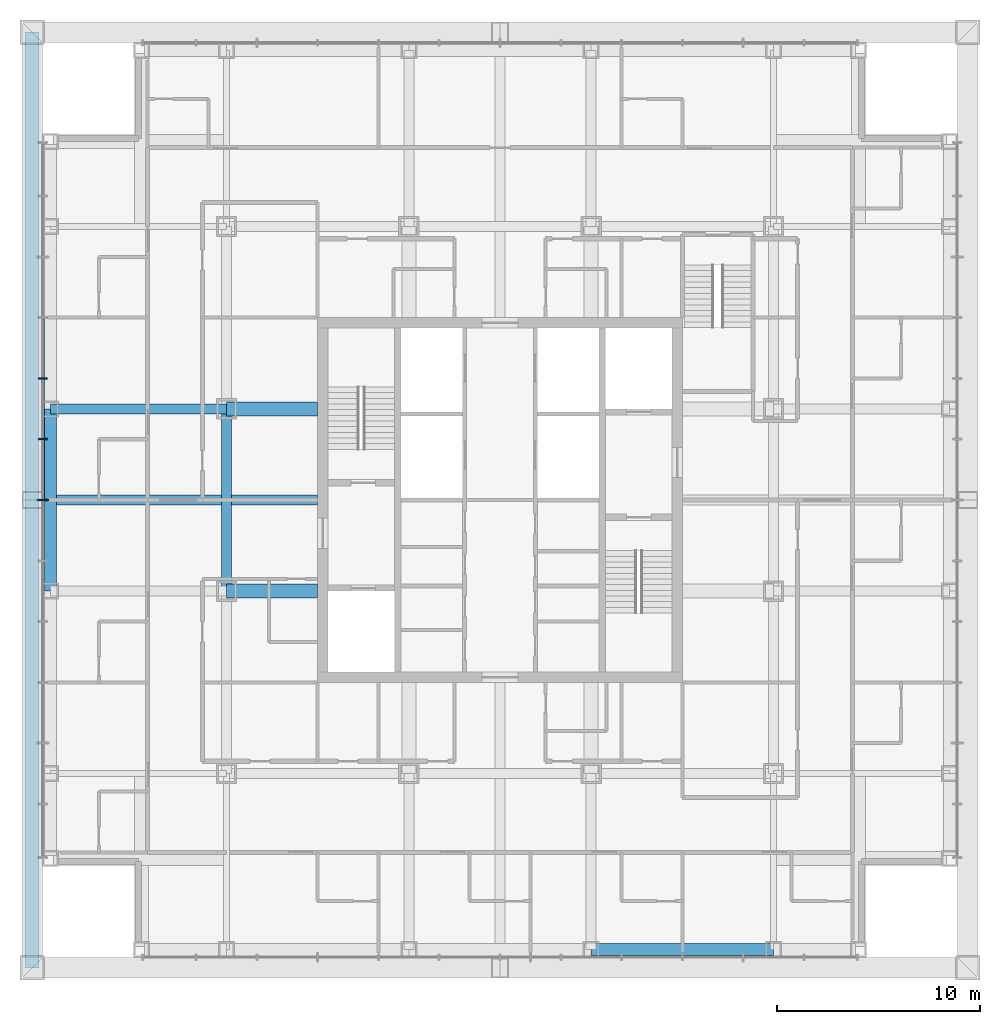
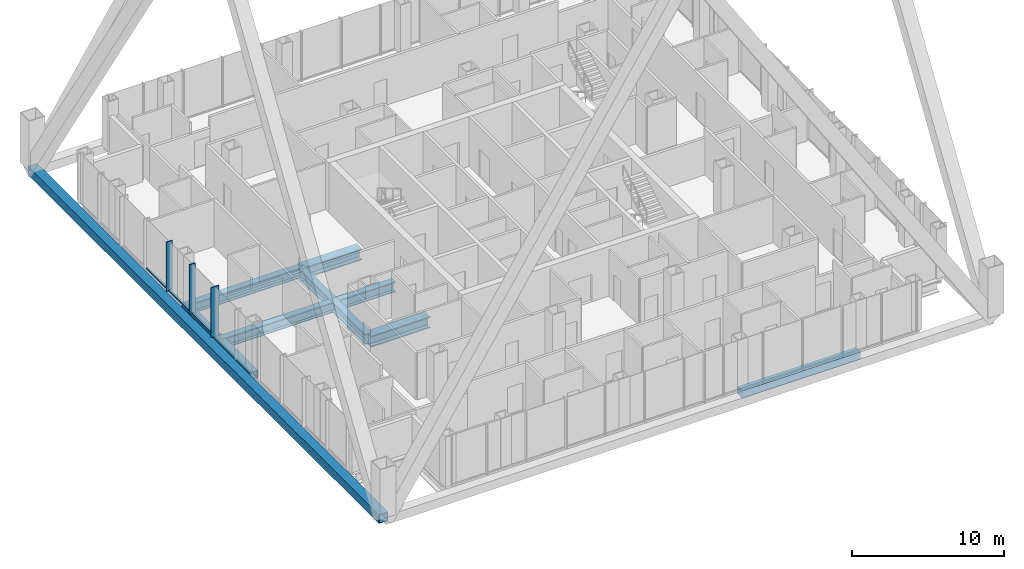
# One storey, part 4 of 16: 7 beams, 7 members, 1 element without a shape of its own.
"""IFC4 building model written with IfcOpenShell, lengths in metres."""

from ifc_helpers import new_model, si_unit, direction, frame, origin, origin_2d, place, context, subcontext, project, spatial, rectangle, hollow_rectangle, i_section, extrude, material, layer, layer_set, material_profile, profile_set, type_object, element, aggregate, save


model = new_model("IFC4")

# Units and contexts
model_context = context("Model", 3, precision=1e-05, world=origin(), true_north=direction((0.0, 1.0)))
body_context = subcontext(model_context, "Body", "Model", "MODEL_VIEW")
ifc_project = project(units=[si_unit("LENGTHUNIT", "METRE"), si_unit("AREAUNIT", "SQUARE_METRE"), si_unit("VOLUMEUNIT", "CUBIC_METRE"), si_unit("PLANEANGLEUNIT", "RADIAN"), si_unit("MASSUNIT", "GRAM", prefix="KILO")], contexts=[model_context])

# Site, building, storey
site_placement = place(None, origin())
site = spatial("IfcSite", under=ifc_project, at=site_placement, CompositionType="ELEMENT")
building_placement = place(site_placement, origin())
building = spatial("IfcBuilding", under=site, at=building_placement, Name="Malebo Sky Hospital", CompositionType="ELEMENT")
storey_placement = place(building_placement, frame((0.0, 0.0, 209.0)))
storey = spatial("IfcBuildingStorey", under=building, at=storey_placement, Name="L50", CompositionType="ELEMENT", Elevation=209.0)

# Curtain wall, members
ifc_material_1 = material(Name="Anodised aluminium, natural silver", Category="aluminium")
ifc_layer = layer(ifc_material_1, 0.25)
ifc_layer_set = layer_set([ifc_layer], Name="WARD CURTAIN WALL EAST AND WEST")
curtain_wall_type = type_object("IfcCurtainWallType", Name="WARD CURTAIN WALL EAST AND WEST", PredefinedType="NOTDEFINED", material=ifc_layer_set)
curtain_wall_placement = place(storey_placement, origin())
curtain_wall = element("IfcCurtainWall", 1, at=curtain_wall_placement, inside=storey, type_object=curtain_wall_type, Name="EW curtain wall W", PredefinedType="NOTDEFINED")
ifc_material_profile_1 = material_profile(ifc_material_1, rectangle(XDim=0.14990234375, YDim=0.10009765625, at=origin_2d()), Name="ALUMINIUM TRANSOM 150x100")
ifc_profile_set_1 = profile_set([ifc_material_profile_1], Name="Anodised aluminium, natural silver")
member_type_1 = type_object("IfcMemberType", Name="ALUMINIUM TRANSOM 150x100", PredefinedType="USERDEFINED", material=ifc_profile_set_1)
member_1_placement = place(storey_placement, frame((37.425048828125, 62.03759765625, 0.050048828125), z_axis=(0.0, 1.0, 0.0), x_axis=(-1.0, 0.0, 0.0)))
member_1 = element("IfcMember", 2, at=member_1_placement, type_object=member_type_1, Name="Transom 7", ObjectType="TRANSOM", PredefinedType="USERDEFINED", context=body_context, shape_type="SweptSolid", body=[
    extrude(rectangle(XDim=0.14990234375, YDim=0.10009765625, at=origin_2d()), origin(), (0.0, 0.0, 1.0), 2.9248046875),
])
member_2_placement = place(storey_placement, frame((37.425048828125, 65.03759765625, 0.050048828125), z_axis=(0.0, 1.0, 0.0), x_axis=(-1.0, 0.0, 0.0)))
member_2 = element("IfcMember", 3, at=member_2_placement, type_object=member_type_1, Name="Transom 8", ObjectType="TRANSOM", PredefinedType="USERDEFINED", context=body_context, shape_type="SweptSolid", body=[
    extrude(rectangle(XDim=0.14990234375, YDim=0.10009765625, at=origin_2d()), origin(), (0.0, 0.0, 1.0), 2.9248046875),
])
member_3_placement = place(storey_placement, frame((37.425048828125, 68.03759765625, 0.050048828125), z_axis=(0.0, 1.0, 0.0), x_axis=(-1.0, 0.0, 0.0)))
member_3 = element("IfcMember", 4, at=member_3_placement, type_object=member_type_1, Name="Transom 9", ObjectType="TRANSOM", PredefinedType="USERDEFINED", context=body_context, shape_type="SweptSolid", body=[
    extrude(rectangle(XDim=0.14990234375, YDim=0.10009765625, at=origin_2d()), origin(), (0.0, 0.0, 1.0), 2.9248046875),
])
ifc_material_profile_2 = material_profile(ifc_material_1, rectangle(XDim=0.074951171875, YDim=0.449951171875, at=origin_2d()), Name="CW2 ALUMINIUM FIN MULLION 75x450")
ifc_profile_set_2 = profile_set([ifc_material_profile_2], Name="Anodised aluminium, natural silver")
member_type_2 = type_object("IfcMemberType", Name="CW2 ALUMINIUM FIN MULLION 75x450", PredefinedType="MULLION", material=ifc_profile_set_2)
member_4_placement = place(storey_placement, frame((37.425048828125, 65.0, 0.0), z_axis=(0.0, 0.0, 1.0), x_axis=(0.0, 1.0, 0.0)))
member_4 = element("IfcMember", 5, at=member_4_placement, type_object=member_type_2, Name="Fin mullion 8", PredefinedType="MULLION", context=body_context, shape_type="SweptSolid", body=[
    extrude(rectangle(XDim=0.074951171875, YDim=0.449951171875, at=origin_2d()), origin(), (0.0, 0.0, 1.0), 4.0),
])
member_5_placement = place(storey_placement, frame((37.425048828125, 68.0, 0.0), z_axis=(0.0, 0.0, 1.0), x_axis=(0.0, 1.0, 0.0)))
member_5 = element("IfcMember", 6, at=member_5_placement, type_object=member_type_2, Name="Fin mullion 9", PredefinedType="MULLION", context=body_context, shape_type="SweptSolid", body=[
    extrude(rectangle(XDim=0.074951171875, YDim=0.449951171875, at=origin_2d()), origin(), (0.0, 0.0, 1.0), 4.0),
])
ifc_material_profile_3 = material_profile(ifc_material_1, rectangle(XDim=0.074951171875, YDim=0.60009765625, at=origin_2d()), Name="CW2 ALUMINIUM FIN MULLION 75x600")
ifc_profile_set_3 = profile_set([ifc_material_profile_3], Name="Anodised aluminium, natural silver")
member_type_3 = type_object("IfcMemberType", Name="CW2 ALUMINIUM FIN MULLION 75x600", PredefinedType="MULLION", material=ifc_profile_set_3)
member_6_placement = place(storey_placement, frame((37.425048828125, 62.0, 0.0), z_axis=(0.0, 0.0, 1.0), x_axis=(0.0, 1.0, 0.0)))
member_6 = element("IfcMember", 7, at=member_6_placement, type_object=member_type_3, Name="Fin mullion 7", PredefinedType="MULLION", context=body_context, shape_type="SweptSolid", body=[
    extrude(rectangle(XDim=0.074951171875, YDim=0.60009765625, at=origin_2d()), origin(), (0.0, 0.0, 1.0), 4.0),
])
aggregate(curtain_wall, [member_6, member_4, member_5, member_1, member_2, member_3])

# Beams
ifc_material_2 = material(Name="Steel S460", Category="steel")
ifc_material_profile_4 = material_profile(ifc_material_2, hollow_rectangle(XDim=0.60009765625, YDim=0.60009765625, WallThickness=0.0400390625, at=origin_2d()), Name="BOX 600x600x40")
ifc_profile_set_4 = profile_set([ifc_material_profile_4], Name="Steel S460")
beam_type_1 = type_object("IfcBeamType", Name="EDGE BEAM BOX 600x600x40", PredefinedType="BEAM", material=ifc_profile_set_4)
for number, where, z_axis, x_axis, name in (
    (8, (37.800048828125, 57.5, -0.550048828125), (0.0, 1.0, 0.0), (-1.0, 0.0, 0.0), "Beam 002 L50"),
    (9, (64.5, 39.800048828125, -0.550048828125), (1.0, 0.0, 0.0), (0.0, 1.0, 0.0), "Beam 037 L50"),
):
    element("IfcBeam", number, at=place(storey_placement, frame(where, z_axis=z_axis, x_axis=x_axis)), inside=storey, type_object=beam_type_1, Name=name, PredefinedType="BEAM", context=body_context, shape_type="SweptSolid", body=[
        extrude(hollow_rectangle(XDim=0.60009765625, YDim=0.60009765625, WallThickness=0.0400390625, at=origin_2d()), origin(), (0.0, 0.0, 1.0), 9.0),
    ])
ifc_material_3 = material(Name="Steel S355", Category="steel")
ifc_material_profile_5 = material_profile(ifc_material_3, i_section(OverallWidth=0.5, OverallDepth=0.800048828125, WebThickness=0.030029296875, FlangeThickness=0.050048828125, at=origin_2d()), Name="PG 800x500x30x50")
ifc_profile_set_5 = profile_set([ifc_material_profile_5], Name="Steel S355")
beam_type_2 = type_object("IfcBeamType", Name="FLOOR BEAM PG 800x500x30x50", PredefinedType="BEAM", material=ifc_profile_set_5)
beam_1_placement = place(storey_placement, frame((37.800048828125, 62.0, -0.64990234375), z_axis=(1.0, 0.0, 0.0), x_axis=(0.0, 1.0, 0.0)))
element("IfcBeam", 10, at=beam_1_placement, inside=storey, type_object=beam_type_2, Name="Beam 050 L50", PredefinedType="BEAM", context=body_context, shape_type="SweptSolid", body=[
    extrude(i_section(OverallWidth=0.5, OverallDepth=0.800048828125, WebThickness=0.030029296875, FlangeThickness=0.050048828125, at=origin_2d()), origin(), (0.0, 0.0, 1.0), 13.199951171875),
])
beam_2_placement = place(storey_placement, frame((37.800048828125, 66.5, -0.64990234375), z_axis=(1.0, 0.0, 0.0), x_axis=(0.0, 1.0, 0.0)))
element("IfcBeam", 11, at=beam_2_placement, inside=storey, type_object=beam_type_2, Name="Beam 052 L50", PredefinedType="BEAM", context=body_context, shape_type="SweptSolid", body=[
    extrude(i_section(OverallWidth=0.5, OverallDepth=0.800048828125, WebThickness=0.030029296875, FlangeThickness=0.050048828125, at=origin_2d()), origin(), (0.0, 0.0, 1.0), 8.699951171875),
])
ifc_material_profile_6 = material_profile(ifc_material_3, i_section(OverallWidth=0.699951171875, OverallDepth=0.89990234375, WebThickness=0.0400390625, FlangeThickness=0.070068359375, at=origin_2d()), Name="PG 900x700x40x70")
ifc_profile_set_6 = profile_set([ifc_material_profile_6], Name="Steel S355")
beam_type_3 = type_object("IfcBeamType", Name="FLOOR BEAM PG 900x700x40x70", PredefinedType="BEAM", material=ifc_profile_set_6)
for number, where, z_axis, x_axis, name in (
    (12, (46.5, 57.5, -0.699951171875), (1.0, 0.0, 0.0), (0.0, 1.0, 0.0), "Beam 047 L50"),
    (13, (46.5, 66.5, -0.699951171875), (1.0, 0.0, 0.0), (0.0, 1.0, 0.0), "Beam 053 L50"),
):
    element("IfcBeam", number, at=place(storey_placement, frame(where, z_axis=z_axis, x_axis=x_axis)), inside=storey, type_object=beam_type_3, Name=name, PredefinedType="BEAM", context=body_context, shape_type="SweptSolid", body=[
        extrude(i_section(OverallWidth=0.699951171875, OverallDepth=0.89990234375, WebThickness=0.0400390625, FlangeThickness=0.070068359375, at=origin_2d()), origin(), (0.0, 0.0, 1.0), 4.5),
    ])

# Member
ifc_material_profile_7 = material_profile(ifc_material_2, hollow_rectangle(XDim=0.699951171875, YDim=0.699951171875, WallThickness=0.034912109375, at=origin_2d()), Name="BOX 700x700x35")
ifc_profile_set_7 = profile_set([ifc_material_profile_7], Name="Steel S460")
member_type_4 = type_object("IfcMemberType", Name="MEGA TIE BOX 700x700x35", PredefinedType="CHORD", material=ifc_profile_set_7)
member_7_placement = place(storey_placement, frame((36.89990234375, 85.10009765625, -0.39990234375), z_axis=(0.0, -1.0, 0.0), x_axis=(1.0, 0.0, 0.0)))
element("IfcMember", 14, at=member_7_placement, inside=storey, type_object=member_type_4, Name="Mega tie CW L50", PredefinedType="CHORD", context=body_context, shape_type="SweptSolid", body=[
    extrude(hollow_rectangle(XDim=0.699951171875, YDim=0.699951171875, WallThickness=0.034912109375, at=origin_2d()), origin(), (0.0, 0.0, 1.0), 46.2001953125),
])

# Beam
ifc_material_profile_8 = material_profile(ifc_material_3, i_section(OverallWidth=0.5, OverallDepth=0.800048828125, WebThickness=0.030029296875, FlangeThickness=0.050048828125, at=origin_2d()), Name="PG 800x500x30x50")
ifc_profile_set_8 = profile_set([ifc_material_profile_8], Name="Steel S355")
beam_type_4 = type_object("IfcBeamType", Name="RING GIRDER PG 800x500x30x50", PredefinedType="BEAM", material=ifc_profile_set_8)
beam_3_placement = place(storey_placement, frame((46.5, 57.5, -0.64990234375), z_axis=(0.0, 1.0, 0.0), x_axis=(-1.0, 0.0, 0.0)))
element("IfcBeam", 15, at=beam_3_placement, inside=storey, type_object=beam_type_4, Name="Beam 009 L50", PredefinedType="BEAM", context=body_context, shape_type="SweptSolid", body=[
    extrude(i_section(OverallWidth=0.5, OverallDepth=0.800048828125, WebThickness=0.030029296875, FlangeThickness=0.050048828125, at=origin_2d()), origin(), (0.0, 0.0, 1.0), 9.0),
])

save(model, "model.ifc")
